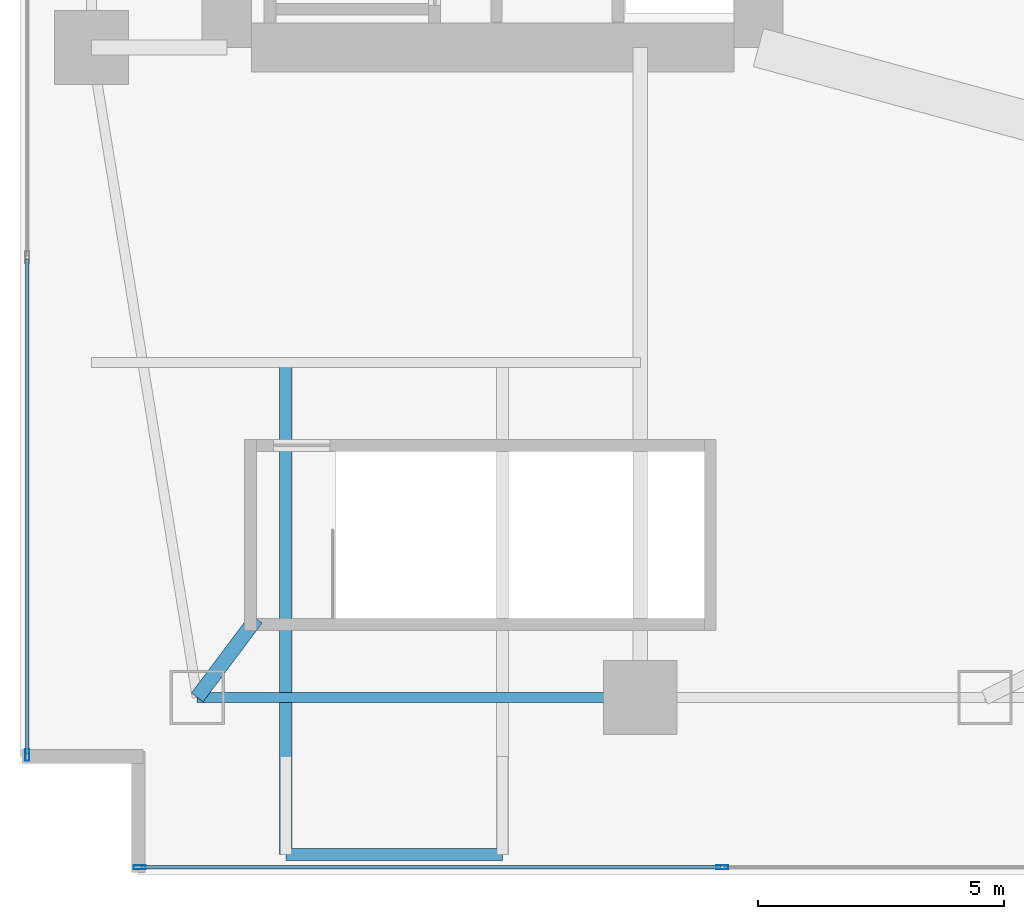
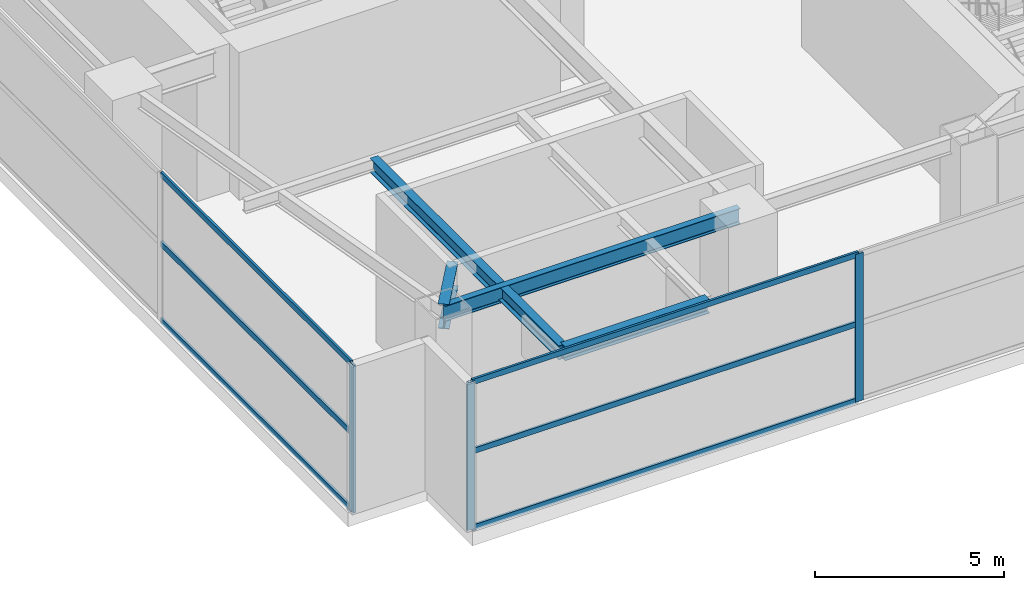
# One storey, part 4 of 36: 9 members, 4 beams, 2 elements without a shape of their own.
"""IFC4 building model written with IfcOpenShell, lengths in metres."""

from ifc_helpers import new_model, si_unit, direction, frame, origin, origin_2d, place, context, subcontext, project, spatial, hollow_rectangle, i_section, extrude, material, layer, layer_set, material_profile, profile_set, type_object, element, aggregate, save


model = new_model("IFC4")

# Units and contexts
model_context = context("Model", 3, precision=1e-05, world=origin(), true_north=direction((0.0, 1.0)))
body_context = subcontext(model_context, "Body", "Model", "MODEL_VIEW")
ifc_project = project(units=[si_unit("LENGTHUNIT", "METRE"), si_unit("AREAUNIT", "SQUARE_METRE"), si_unit("VOLUMEUNIT", "CUBIC_METRE"), si_unit("PLANEANGLEUNIT", "RADIAN"), si_unit("MASSUNIT", "GRAM", prefix="KILO")], contexts=[model_context])

# Site, building, storey
site_placement = place(None, origin())
site = spatial("IfcSite", under=ifc_project, at=site_placement, CompositionType="ELEMENT")
building_placement = place(site_placement, origin())
building = spatial("IfcBuilding", under=site, at=building_placement, Name="Calvorn Quay Hotel", CompositionType="ELEMENT")
storey_placement = place(building_placement, frame((0.0, 0.0, 22.0)))
storey = spatial("IfcBuildingStorey", under=building, at=storey_placement, Name="L04", CompositionType="ELEMENT", Elevation=22.0)

# Beams
ifc_material_1 = material(Name="Steel Q355B", Category="steel")
ifc_material_profile_1 = material_profile(ifc_material_1, i_section(OverallWidth=0.25, OverallDepth=0.449951171875, WebThickness=0.011962890625, FlangeThickness=0.01611328125, FilletRadius=0.01611328125, at=origin_2d()), Name="HN450x250x12x16")
ifc_profile_set_1 = profile_set([ifc_material_profile_1], Name="Steel Q355B")
beam_type_1 = type_object("IfcBeamType", Name="BM-CANT-BALC", PredefinedType="BEAM", material=ifc_profile_set_1)
beam_1_placement = place(storey_placement, frame((5.39990234375, 10.39990234375, 4.514892578125), z_axis=(0.0, -1.0, 0.0), x_axis=(1.0, 0.0, 0.0)))
element("IfcBeam", 1, at=beam_1_placement, inside=storey, type_object=beam_type_1, Name="Cantilever Balcony Beam BCB-L05-1A", PredefinedType="BEAM", context=body_context, shape_type="SweptSolid", body=[
    extrude(i_section(OverallWidth=0.25, OverallDepth=0.449951171875, WebThickness=0.011962890625, FlangeThickness=0.01611328125, FilletRadius=0.01611328125, at=origin_2d()), origin(), (0.0, 0.0, 1.0), 9.989990234375),
])
beam_2_placement = place(storey_placement, frame((5.39990234375, 0.409912109375, 4.514892578125), z_axis=(1.0, 0.0, 0.0), x_axis=(0.0, 1.0, 0.0)))
element("IfcBeam", 2, at=beam_2_placement, inside=storey, type_object=beam_type_1, Name="Beam BCBO-L05-1", PredefinedType="BEAM", context=body_context, shape_type="SweptSolid", body=[
    extrude(i_section(OverallWidth=0.25, OverallDepth=0.449951171875, WebThickness=0.011962890625, FlangeThickness=0.01611328125, FilletRadius=0.01611328125, at=origin_2d()), origin(), (0.0, 0.0, 1.0), 4.400146484375),
])
ifc_material_2 = material(Name="Steel Q390GJC", Category="steel")
ifc_material_profile_2 = material_profile(ifc_material_2, i_section(OverallWidth=0.300048828125, OverallDepth=0.800048828125, WebThickness=0.013916015625, FlangeThickness=0.02587890625, FilletRadius=0.02392578125, at=origin_2d()), Name="HN800x300x14x26")
ifc_profile_set_2 = profile_set([ifc_material_profile_2], Name="Steel Q390GJC")
beam_type_2 = type_object("IfcBeamType", Name="BM-GIRD-POD", PredefinedType="BEAM", material=ifc_profile_set_2)
beam_3_placement = place(storey_placement, frame((3.60009765625, 3.60009765625, 4.340087890625), z_axis=(0.600019532502, 0.799985350251, 0.0), x_axis=(-0.799985350251, 0.600019532502, 0.0)))
element("IfcBeam", 3, at=beam_3_placement, inside=storey, type_object=beam_type_2, Name="Beam BG-L04-W0", PredefinedType="BEAM", context=body_context, shape_type="SweptSolid", body=[
    extrude(i_section(OverallWidth=0.300048828125, OverallDepth=0.800048828125, WebThickness=0.013916015625, FlangeThickness=0.02587890625, FilletRadius=0.02392578125, at=origin_2d()), origin(), (0.0, 0.0, 1.0), 1.999755859375),
])
ifc_material_3 = material(Name="Steel Q355B", Category="steel")
ifc_material_profile_3 = material_profile(ifc_material_3, i_section(OverallWidth=0.199951171875, OverallDepth=0.5, WebThickness=0.010009765625, FlangeThickness=0.01611328125, FilletRadius=0.01611328125, at=origin_2d()), Name="HN500x200x10x16")
ifc_profile_set_3 = profile_set([ifc_material_profile_3], Name="Steel Q355B")
beam_type_3 = type_object("IfcBeamType", Name="BM-SPANDREL-Z1", PredefinedType="SPANDREL", material=ifc_profile_set_3)
beam_4_placement = place(storey_placement, frame((3.60009765625, 3.60009765625, 4.489990234375), z_axis=(1.0, 0.0, 0.0), x_axis=(0.0, 1.0, 0.0)))
element("IfcBeam", 4, at=beam_4_placement, inside=storey, type_object=beam_type_3, Name="Beam BSP-L04-S1", PredefinedType="SPANDREL", context=body_context, shape_type="SweptSolid", body=[
    extrude(i_section(OverallWidth=0.199951171875, OverallDepth=0.5, WebThickness=0.010009765625, FlangeThickness=0.01611328125, FilletRadius=0.01611328125, at=origin_2d()), origin(), (0.0, 0.0, 1.0), 9.0),
])

# Curtain wall, members
ifc_material_4 = material(Name="Pale Anodised Aluminium and Low-E Glass", Category="aluminium")
ifc_layer = layer(ifc_material_4, 0.219970703125)
ifc_layer_set = layer_set([ifc_layer], Name="CW-SYS-POD")
curtain_wall_type = type_object("IfcCurtainWallType", Name="CW-SYS-POD", PredefinedType="NOTDEFINED", material=ifc_layer_set)
curtain_wall_1_placement = place(storey_placement, origin())
curtain_wall_1 = element("IfcCurtainWall", 5, at=curtain_wall_1_placement, inside=storey, type_object=curtain_wall_type, Name="Podium Curtain Wall L04-S1", PredefinedType="NOTDEFINED")
ifc_material_5 = material(Name="Pale Anodised Aluminium 6063-T6", Category="aluminium")
ifc_material_profile_4 = material_profile(ifc_material_5, hollow_rectangle(XDim=0.080078125, YDim=0.239990234375, WallThickness=0.0048828125, at=origin_2d()), Name="ALU-M240x80x5")
ifc_profile_set_4 = profile_set([ifc_material_profile_4], Name="Pale Anodised Aluminium 6063-T6")
member_type_1 = type_object("IfcMemberType", Name="CW-SYS-POD-MUL", PredefinedType="MULLION", material=ifc_profile_set_4)
member_1_placement = place(storey_placement, frame((2.429931640625, 0.14990234375, 0.0), z_axis=(0.0, 0.0, 1.0), x_axis=(0.0, 1.0, 0.0)))
member_1 = element("IfcMember", 6, at=member_1_placement, type_object=member_type_1, Name="CW-L04-S1 mullion 1", PredefinedType="MULLION", context=body_context, shape_type="SweptSolid", body=[
    extrude(hollow_rectangle(XDim=0.080078125, YDim=0.239990234375, WallThickness=0.0048828125, at=origin_2d()), origin(), (0.0, 0.0, 1.0), 4.760009765625),
])
member_2_placement = place(storey_placement, frame((14.2666015625, 0.14990234375, 0.0), z_axis=(0.0, 0.0, 1.0), x_axis=(0.0, 1.0, 0.0)))
member_2 = element("IfcMember", 7, at=member_2_placement, type_object=member_type_1, Name="CW-L04-S1 mullion 2", PredefinedType="MULLION", context=body_context, shape_type="SweptSolid", body=[
    extrude(hollow_rectangle(XDim=0.080078125, YDim=0.239990234375, WallThickness=0.0048828125, at=origin_2d()), origin(), (0.0, 0.0, 1.0), 4.760009765625),
])

# Curtain wall, member
curtain_wall_2_placement = place(storey_placement, origin())
curtain_wall_2 = element("IfcCurtainWall", 8, at=curtain_wall_2_placement, inside=storey, type_object=curtain_wall_type, Name="Podium Curtain Wall L04-W1", PredefinedType="NOTDEFINED")
member_3_placement = place(storey_placement, frame((0.14990234375, 2.429931640625, 0.0), z_axis=(0.0, 0.0, 1.0), x_axis=(-1.0, 0.0, 0.0)))
member_3 = element("IfcMember", 9, at=member_3_placement, type_object=member_type_1, Name="CW-L04-W1 mullion 1", PredefinedType="MULLION", context=body_context, shape_type="SweptSolid", body=[
    extrude(hollow_rectangle(XDim=0.080078125, YDim=0.239990234375, WallThickness=0.0048828125, at=origin_2d()), origin(), (0.0, 0.0, 1.0), 4.760009765625),
])

# Member
ifc_material_6 = material(Name="Pale Anodised Aluminium 6063-T6", Category="aluminium")
ifc_material_profile_5 = material_profile(ifc_material_6, hollow_rectangle(XDim=0.070068359375, YDim=0.179931640625, WallThickness=0.00390625, at=origin_2d()), Name="ALU-T180x70x4")
ifc_profile_set_5 = profile_set([ifc_material_profile_5], Name="Pale Anodised Aluminium 6063-T6")
member_type_2 = type_object("IfcMemberType", Name="CW-SYS-POD-TRN", PredefinedType="USERDEFINED", material=ifc_profile_set_5)
member_4_placement = place(storey_placement, frame((2.4599609375, 0.14990234375, 0.030029296875), z_axis=(1.0, 0.0, 0.0), x_axis=(0.0, 1.0, 0.0)))
member_4 = element("IfcMember", 10, at=member_4_placement, type_object=member_type_2, Name="CW-L04-S1 transom 1.1", ObjectType="TRANSOM", PredefinedType="USERDEFINED", context=body_context, shape_type="SweptSolid", body=[
    extrude(hollow_rectangle(XDim=0.070068359375, YDim=0.179931640625, WallThickness=0.00390625, at=origin_2d()), origin(), (0.0, 0.0, 1.0), 11.776611328125),
])

member_5_placement = place(storey_placement, frame((2.4599609375, 0.14990234375, 2.5), z_axis=(1.0, 0.0, 0.0), x_axis=(0.0, 1.0, 0.0)))
member_5 = element("IfcMember", 11, at=member_5_placement, type_object=member_type_2, Name="CW-L04-S1 transom 1.2", ObjectType="TRANSOM", PredefinedType="USERDEFINED", context=body_context, shape_type="SweptSolid", body=[
    extrude(hollow_rectangle(XDim=0.070068359375, YDim=0.179931640625, WallThickness=0.00390625, at=origin_2d()), origin(), (0.0, 0.0, 1.0), 11.776611328125),
])

member_6_placement = place(storey_placement, frame((2.4599609375, 0.14990234375, 4.72998046875), z_axis=(1.0, 0.0, 0.0), x_axis=(0.0, 1.0, 0.0)))
member_6 = element("IfcMember", 12, at=member_6_placement, type_object=member_type_2, Name="CW-L04-S1 transom 1.3", ObjectType="TRANSOM", PredefinedType="USERDEFINED", context=body_context, shape_type="SweptSolid", body=[
    extrude(hollow_rectangle(XDim=0.070068359375, YDim=0.179931640625, WallThickness=0.00390625, at=origin_2d()), origin(), (0.0, 0.0, 1.0), 11.776611328125),
])

aggregate(curtain_wall_1, [member_1, member_2, member_4, member_5, member_6])

member_7_placement = place(storey_placement, frame((0.14990234375, 2.4599609375, 0.030029296875), z_axis=(0.0, 1.0, 0.0), x_axis=(-1.0, 0.0, 0.0)))
member_7 = element("IfcMember", 13, at=member_7_placement, type_object=member_type_2, Name="CW-L04-W1 transom 1.1", ObjectType="TRANSOM", PredefinedType="USERDEFINED", context=body_context, shape_type="SweptSolid", body=[
    extrude(hollow_rectangle(XDim=0.070068359375, YDim=0.179931640625, WallThickness=0.00390625, at=origin_2d()), origin(), (0.0, 0.0, 1.0), 10.050048828125),
])

member_8_placement = place(storey_placement, frame((0.14990234375, 2.4599609375, 2.5), z_axis=(0.0, 1.0, 0.0), x_axis=(-1.0, 0.0, 0.0)))
member_8 = element("IfcMember", 14, at=member_8_placement, type_object=member_type_2, Name="CW-L04-W1 transom 1.2", ObjectType="TRANSOM", PredefinedType="USERDEFINED", context=body_context, shape_type="SweptSolid", body=[
    extrude(hollow_rectangle(XDim=0.070068359375, YDim=0.179931640625, WallThickness=0.00390625, at=origin_2d()), origin(), (0.0, 0.0, 1.0), 10.050048828125),
])

member_9_placement = place(storey_placement, frame((0.14990234375, 2.4599609375, 4.72998046875), z_axis=(0.0, 1.0, 0.0), x_axis=(-1.0, 0.0, 0.0)))
member_9 = element("IfcMember", 15, at=member_9_placement, type_object=member_type_2, Name="CW-L04-W1 transom 1.3", ObjectType="TRANSOM", PredefinedType="USERDEFINED", context=body_context, shape_type="SweptSolid", body=[
    extrude(hollow_rectangle(XDim=0.070068359375, YDim=0.179931640625, WallThickness=0.00390625, at=origin_2d()), origin(), (0.0, 0.0, 1.0), 10.050048828125),
])

aggregate(curtain_wall_2, [member_3, member_7, member_8, member_9])

save(model, "model.ifc")
